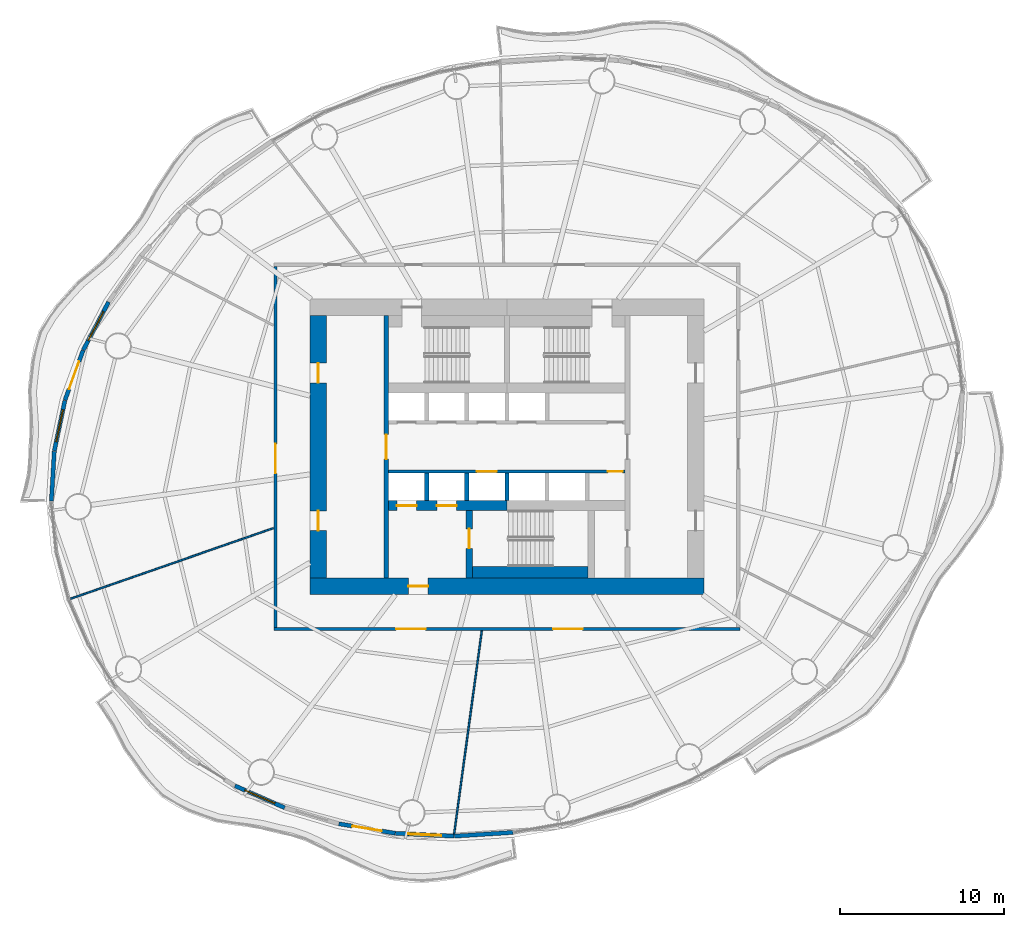
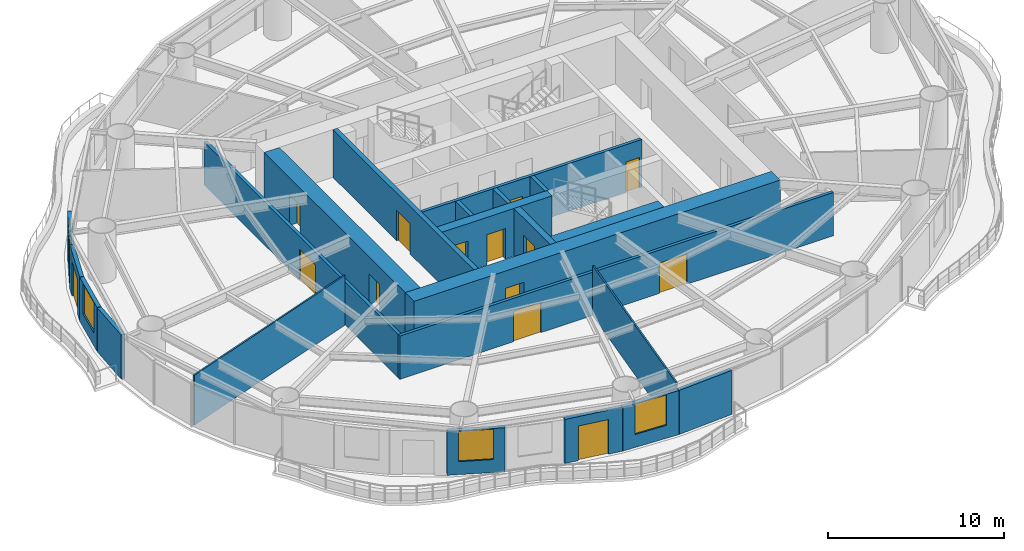
# One storey, part 8 of 16: 22 walls, 14 doors, 4 windows, 18 openings.
"""IFC4 building model written with IfcOpenShell, lengths in metres."""

from ifc_helpers import new_model, si_unit, direction, frame, frame_2d, origin, place, context, subcontext, project, spatial, rectangle, extrude, material, layer, layer_set, type_object, element, fill, save


model = new_model("IFC4")

# Units and contexts
model_context = context("Model", 3, precision=1e-05, world=origin(), true_north=direction((0.0, 1.0)))
body_context = subcontext(model_context, "Body", "Model", "MODEL_VIEW")
ifc_project = project(units=[si_unit("LENGTHUNIT", "METRE"), si_unit("AREAUNIT", "SQUARE_METRE"), si_unit("VOLUMEUNIT", "CUBIC_METRE"), si_unit("PLANEANGLEUNIT", "RADIAN"), si_unit("MASSUNIT", "GRAM", prefix="KILO")], contexts=[model_context])

# Site, building, storey
site_placement = place(None, origin())
site = spatial("IfcSite", under=ifc_project, at=site_placement, CompositionType="ELEMENT")
building_placement = place(site_placement, origin())
building = spatial("IfcBuilding", under=site, at=building_placement, Name="Vermilion Reach Broadcast Tower", CompositionType="ELEMENT")
storey_placement = place(building_placement, frame((0.0, 0.0, 110.199951171875)))
storey = spatial("IfcBuildingStorey", under=building, at=storey_placement, Name="L25", CompositionType="ELEMENT", Elevation=110.199951171875)

# Wall, opening, door
ifc_material_1 = material(Name="Concrete C70", Category="concrete")
ifc_layer_1 = layer(ifc_material_1, 0.300048828125)
ifc_layer_set_1 = layer_set([ifc_layer_1], Name="Core inner wall 300 mm Concrete C70")
wall_type_1 = type_object("IfcWallType", Name="Core inner wall 300 mm Concrete C70", PredefinedType="SHEAR", material=ifc_layer_set_1)
wall_1_placement = place(storey_placement, frame((-13.35009765625, 8.0, 0.0), z_axis=(0.0, 0.0, 1.0), x_axis=(0.0, -1.0, 0.0)))
wall_1 = element("IfcWall", 1, at=wall_1_placement, inside=storey, type_object=wall_type_1, Name="L25 core wall ewW", PredefinedType="SHEAR", context=body_context, shape_type="SweptSolid", body=[
    extrude(rectangle(XDim=16.0, YDim=0.300048828125, at=frame_2d((8.0, 0.0))), origin(), (0.0, 0.0, 1.0), 3.300048828125),
])
opening_1_placement = place(wall_1_placement, frame((7.25, 0.0, 0.0)))
opening_1 = element("IfcOpeningElement", 2, at=opening_1_placement, cuts=wall_1, Name="Opening D04", PredefinedType="OPENING", context=body_context, shape_type="SweptSolid", body=[
    extrude(rectangle(XDim=1.5, YDim=2.10009765625, at=frame_2d((0.75, 1.050048828125))), frame((0.0, 0.159912109375, 0.0), z_axis=(0.0, -1.0, 0.0), x_axis=(1.0, 0.0, 0.0)), (0.0, 0.0, 1.0), 0.320068359375),
])
ifc_material_2 = material(Name="Painted steel fire door", Category="steel")
door_type_1 = type_object("IfcDoorType", Name="Lift lobby door 1500 x 2100", OperationType="DOUBLE_DOOR_SINGLE_SWING", PredefinedType="NOTDEFINED", material=ifc_material_2)
door_1_placement = place(opening_1_placement, origin())
door_1 = element("IfcDoor", 3, at=door_1_placement, inside=storey, type_object=door_type_1, Name="L25 band door BW", OperationType="DOUBLE_DOOR_SINGLE_SWING", OverallHeight=2.10009765625, OverallWidth=1.5, PredefinedType="NOTDEFINED", context=body_context, shape_type="SweptSolid", body=[
    extrude(rectangle(XDim=1.5, YDim=2.10009765625, at=frame_2d((0.75, 1.050048828125))), frame((0.0, 0.02490234375, 0.0), z_axis=(0.0, -1.0, 0.0), x_axis=(1.0, 0.0, 0.0)), (0.0, 0.0, 1.0), 0.050048828125),
])
fill(opening_1, door_1)

ifc_material_3 = material(Name="Concrete C70", Category="concrete")
ifc_layer_2 = layer(ifc_material_3, 0.39990234375)
ifc_layer_set_2 = layer_set([ifc_layer_2], Name="Core inner wall 400 mm Concrete C70")
wall_type_2 = type_object("IfcWallType", Name="Core inner wall 400 mm Concrete C70", PredefinedType="SHEAR", material=ifc_layer_set_2)
wall_2_placement = place(storey_placement, frame((-8.300048828125, -3.8798828125, 0.0), z_axis=(0.0, 0.0, 1.0), x_axis=(0.0, -1.0, 0.0)))
wall_2 = element("IfcWall", 4, at=wall_2_placement, inside=storey, type_object=wall_type_2, Name="L25 core wall wa", PredefinedType="SHEAR", context=body_context, shape_type="SweptSolid", body=[
    extrude(rectangle(XDim=4.1201171875, YDim=0.39990234375, at=frame_2d((2.06005859375, 0.0))), origin(), (0.0, 0.0, 1.0), 3.300048828125),
])
opening_2_placement = place(wall_2_placement, frame((1.110107421875, 0.0, 0.0)))
opening_2 = element("IfcOpeningElement", 5, at=opening_2_placement, cuts=wall_2, Name="Opening D01", PredefinedType="OPENING", context=body_context, shape_type="SweptSolid", body=[
    extrude(rectangle(XDim=1.199951171875, YDim=2.10009765625, at=frame_2d((0.60009765625, 1.050048828125))), frame((0.0, 0.2099609375, 0.0), z_axis=(0.0, -1.0, 0.0), x_axis=(1.0, 0.0, 0.0)), (0.0, 0.0, 1.0), 0.419921875),
])
ifc_material_4 = material(Name="Painted steel fire door", Category="steel")
door_type_2 = type_object("IfcDoorType", Name="Stair door 1200 x 2100", OperationType="DOUBLE_DOOR_SINGLE_SWING", PredefinedType="NOTDEFINED", material=ifc_material_4)
door_2_placement = place(opening_2_placement, origin())
door_2 = element("IfcDoor", 6, at=door_2_placement, inside=storey, type_object=door_type_2, Name="L25 stair door ST3", OperationType="DOUBLE_DOOR_SINGLE_SWING", OverallHeight=2.10009765625, OverallWidth=1.199951171875, PredefinedType="NOTDEFINED", context=body_context, shape_type="SweptSolid", body=[
    extrude(rectangle(XDim=1.199951171875, YDim=2.10009765625, at=frame_2d((0.60009765625, 1.050048828125))), frame((0.0, 0.02490234375, 0.0), z_axis=(0.0, -1.0, 0.0), x_axis=(1.0, 0.0, 0.0)), (0.0, 0.0, 1.0), 0.050048828125),
])
fill(opening_2, door_2)

# Wall, openings, doors
ifc_material_5 = material(Name="Concrete C70", Category="concrete")
ifc_layer_3 = layer(ifc_material_5, 0.60009765625)
ifc_layer_set_3 = layer_set([ifc_layer_3], Name="Core inner wall 600 mm Concrete C70")
wall_type_3 = type_object("IfcWallType", Name="Core inner wall 600 mm Concrete C70", PredefinedType="SHEAR", material=ifc_layer_set_3)
wall_3_placement = place(storey_placement, frame((-13.199951171875, -3.580078125, 0.0), z_axis=(0.0, 0.0, 1.0), x_axis=(1.0, 0.0, 0.0)))
wall_3 = element("IfcWall", 7, at=wall_3_placement, inside=storey, type_object=wall_type_3, Name="L25 core wall wisW", PredefinedType="SHEAR", context=body_context, shape_type="SweptSolid", body=[
    extrude(rectangle(XDim=7.199951171875, YDim=0.60009765625, at=frame_2d((3.60009765625, 0.0))), origin(), (0.0, 0.0, 1.0), 3.300048828125),
])
opening_3_placement = place(wall_3_placement, frame((0.495849609375, 0.0, 0.0)))
opening_3 = element("IfcOpeningElement", 8, at=opening_3_placement, cuts=wall_3, Name="Opening LD1", PredefinedType="OPENING", context=body_context, shape_type="SweptSolid", body=[
    extrude(rectangle(XDim=1.199951171875, YDim=2.10009765625, at=frame_2d((0.60009765625, 1.050048828125))), frame((0.0, 0.31005859375, 0.0), z_axis=(0.0, -1.0, 0.0), x_axis=(1.0, 0.0, 0.0)), (0.0, 0.0, 1.0), 0.6201171875),
])
opening_4_placement = place(wall_3_placement, frame((2.9375, 0.0, 0.0)))
opening_4 = element("IfcOpeningElement", 9, at=opening_4_placement, cuts=wall_3, Name="Opening LD1", PredefinedType="OPENING", context=body_context, shape_type="SweptSolid", body=[
    extrude(rectangle(XDim=1.199951171875, YDim=2.10009765625, at=frame_2d((0.60009765625, 1.050048828125))), frame((0.0, 0.31005859375, 0.0), z_axis=(0.0, -1.0, 0.0), x_axis=(1.0, 0.0, 0.0)), (0.0, 0.0, 1.0), 0.6201171875),
])
ifc_material_6 = material(Name="Stainless steel", Category="steel")
door_type_3 = type_object("IfcDoorType", Name="Landing door 1200 x 2100", OperationType="DOUBLE_DOOR_SLIDING", PredefinedType="NOTDEFINED", material=ifc_material_6)
door_3_placement = place(opening_3_placement, origin())
door_3 = element("IfcDoor", 10, at=door_3_placement, inside=storey, type_object=door_type_3, Name="L25 landing door FF1", OperationType="DOUBLE_DOOR_SLIDING", OverallHeight=2.10009765625, OverallWidth=1.199951171875, PredefinedType="NOTDEFINED", context=body_context, shape_type="SweptSolid", body=[
    extrude(rectangle(XDim=1.199951171875, YDim=2.10009765625, at=frame_2d((0.60009765625, 1.050048828125))), frame((0.0, 0.02490234375, 0.0), z_axis=(0.0, -1.0, 0.0), x_axis=(1.0, 0.0, 0.0)), (0.0, 0.0, 1.0), 0.050048828125),
])
fill(opening_3, door_3)
door_4_placement = place(opening_4_placement, origin())
door_4 = element("IfcDoor", 11, at=door_4_placement, inside=storey, type_object=door_type_3, Name="L25 landing door FF2", OperationType="DOUBLE_DOOR_SLIDING", OverallHeight=2.10009765625, OverallWidth=1.199951171875, PredefinedType="NOTDEFINED", context=body_context, shape_type="SweptSolid", body=[
    extrude(rectangle(XDim=1.199951171875, YDim=2.10009765625, at=frame_2d((0.60009765625, 1.050048828125))), frame((0.0, 0.02490234375, 0.0), z_axis=(0.0, -1.0, 0.0), x_axis=(1.0, 0.0, 0.0)), (0.0, 0.0, 1.0), 0.050048828125),
])
fill(opening_4, door_4)

# Wall, opening, door
ifc_material_7 = material(Name="Concrete C70", Category="concrete")
ifc_layer_4 = layer(ifc_material_7, 1.0)
ifc_layer_set_4 = layer_set([ifc_layer_4], Name="Core outer wall 1000 mm Concrete C70")
wall_type_4 = type_object("IfcWallType", Name="Core outer wall 1000 mm Concrete C70", PredefinedType="SHEAR", material=ifc_layer_set_4)
wall_4_placement = place(storey_placement, frame((-18.0, -8.5, 0.0), z_axis=(0.0, 0.0, 1.0), x_axis=(1.0, 0.0, 0.0)))
wall_4 = element("IfcWall", 12, at=wall_4_placement, inside=storey, type_object=wall_type_4, Name="L25 core wall os", PredefinedType="SHEAR", context=body_context, shape_type="SweptSolid", body=[
    extrude(rectangle(XDim=24.0, YDim=1.0, at=frame_2d((12.0, 0.0))), origin(), (0.0, 0.0, 1.0), 3.300048828125),
])
opening_5_placement = place(wall_4_placement, frame((6.0, 0.0, 0.0)))
opening_5 = element("IfcOpeningElement", 13, at=opening_5_placement, cuts=wall_4, Name="Opening D02", PredefinedType="OPENING", context=body_context, shape_type="SweptSolid", body=[
    extrude(rectangle(XDim=1.199951171875, YDim=2.10009765625, at=frame_2d((0.60009765625, 1.050048828125))), frame((0.0, 0.510009765625, 0.0), z_axis=(0.0, -1.0, 0.0), x_axis=(1.0, 0.0, 0.0)), (0.0, 0.0, 1.0), 1.02001953125),
])
ifc_material_8 = material(Name="Painted steel fire door", Category="steel")
door_type_4 = type_object("IfcDoorType", Name="Firefighting lobby door 1200 x 2100", OperationType="DOUBLE_DOOR_SINGLE_SWING", PredefinedType="NOTDEFINED", material=ifc_material_8)
door_5_placement = place(opening_5_placement, origin())
door_5 = element("IfcDoor", 14, at=door_5_placement, inside=storey, type_object=door_type_4, Name="L25 ffdoor door FFL", OperationType="DOUBLE_DOOR_SINGLE_SWING", OverallHeight=2.10009765625, OverallWidth=1.199951171875, PredefinedType="NOTDEFINED", context=body_context, shape_type="SweptSolid", body=[
    extrude(rectangle(XDim=1.199951171875, YDim=2.10009765625, at=frame_2d((0.60009765625, 1.050048828125))), frame((0.0, 0.02490234375, 0.0), z_axis=(0.0, -1.0, 0.0), x_axis=(1.0, 0.0, 0.0)), (0.0, 0.0, 1.0), 0.050048828125),
])
fill(opening_5, door_5)

# Wall, openings, doors
wall_5_placement = place(storey_placement, frame((-17.5, 8.0, 0.0), z_axis=(0.0, 0.0, 1.0), x_axis=(0.0, -1.0, 0.0)))
wall_5 = element("IfcWall", 15, at=wall_5_placement, inside=storey, type_object=wall_type_4, Name="L25 core wall ow", PredefinedType="SHEAR", context=body_context, shape_type="SweptSolid", body=[
    extrude(rectangle(XDim=16.0, YDim=1.0, at=frame_2d((8.0, 0.0))), origin(), (0.0, 0.0, 1.0), 3.300048828125),
])
opening_6_placement = place(wall_5_placement, frame((11.89990234375, 0.0, 0.0)))
opening_6 = element("IfcOpeningElement", 16, at=opening_6_placement, cuts=wall_5, Name="Opening D03", PredefinedType="OPENING", context=body_context, shape_type="SweptSolid", body=[
    extrude(rectangle(XDim=1.199951171875, YDim=2.10009765625, at=frame_2d((0.60009765625, 1.050048828125))), frame((0.0, 0.510009765625, 0.0), z_axis=(0.0, -1.0, 0.0), x_axis=(1.0, 0.0, 0.0)), (0.0, 0.0, 1.0), 1.02001953125),
])
opening_7_placement = place(wall_5_placement, frame((2.89990234375, 0.0, 0.0)))
opening_7 = element("IfcOpeningElement", 17, at=opening_7_placement, cuts=wall_5, Name="Opening D03", PredefinedType="OPENING", context=body_context, shape_type="SweptSolid", body=[
    extrude(rectangle(XDim=1.199951171875, YDim=2.10009765625, at=frame_2d((0.60009765625, 1.050048828125))), frame((0.0, 0.510009765625, 0.0), z_axis=(0.0, -1.0, 0.0), x_axis=(1.0, 0.0, 0.0)), (0.0, 0.0, 1.0), 1.02001953125),
])
ifc_material_9 = material(Name="Painted steel fire door", Category="steel")
door_type_5 = type_object("IfcDoorType", Name="Core lobby door 1200 x 2100", OperationType="DOUBLE_DOOR_SINGLE_SWING", PredefinedType="NOTDEFINED", material=ifc_material_9)
door_6_placement = place(opening_6_placement, origin())
door_6 = element("IfcDoor", 18, at=door_6_placement, inside=storey, type_object=door_type_5, Name="L25 slot door W0", OperationType="DOUBLE_DOOR_SINGLE_SWING", OverallHeight=2.10009765625, OverallWidth=1.199951171875, PredefinedType="NOTDEFINED", context=body_context, shape_type="SweptSolid", body=[
    extrude(rectangle(XDim=1.199951171875, YDim=2.10009765625, at=frame_2d((0.60009765625, 1.050048828125))), frame((0.0, 0.02490234375, 0.0), z_axis=(0.0, -1.0, 0.0), x_axis=(1.0, 0.0, 0.0)), (0.0, 0.0, 1.0), 0.050048828125),
])
fill(opening_6, door_6)
door_7_placement = place(opening_7_placement, origin())
door_7 = element("IfcDoor", 19, at=door_7_placement, inside=storey, type_object=door_type_5, Name="L25 slot door W1", OperationType="DOUBLE_DOOR_SINGLE_SWING", OverallHeight=2.10009765625, OverallWidth=1.199951171875, PredefinedType="NOTDEFINED", context=body_context, shape_type="SweptSolid", body=[
    extrude(rectangle(XDim=1.199951171875, YDim=2.10009765625, at=frame_2d((0.60009765625, 1.050048828125))), frame((0.0, 0.02490234375, 0.0), z_axis=(0.0, -1.0, 0.0), x_axis=(1.0, 0.0, 0.0)), (0.0, 0.0, 1.0), 0.050048828125),
])
fill(opening_7, door_7)

ifc_material_10 = material(Name="Concrete C50", Category="concrete")
ifc_layer_5 = layer(ifc_material_10, 0.199951171875)
ifc_layer_set_5 = layer_set([ifc_layer_5], Name="Core shaft wall 200 mm Concrete C50")
wall_type_5 = type_object("IfcWallType", Name="Core shaft wall 200 mm Concrete C50", PredefinedType="SHEAR", material=ifc_layer_set_5)
wall_6_placement = place(storey_placement, frame((1.199951171875, -1.5, 0.0), z_axis=(0.0, 0.0, 1.0), x_axis=(-1.0, 0.0, 0.0)))
wall_6 = element("IfcWall", 20, at=wall_6_placement, inside=storey, type_object=wall_type_5, Name="L25 core wall fs", PredefinedType="SHEAR", context=body_context, shape_type="SweptSolid", body=[
    extrude(rectangle(XDim=14.39990234375, YDim=0.199951171875, at=frame_2d((7.199951171875, 0.0))), origin(), (0.0, 0.0, 1.0), 3.300048828125),
])
opening_8_placement = place(wall_6_placement, frame((7.82080078125, 0.0, 0.0)))
opening_8 = element("IfcOpeningElement", 21, at=opening_8_placement, cuts=wall_6, Name="Opening LD1", PredefinedType="OPENING", context=body_context, shape_type="SweptSolid", body=[
    extrude(rectangle(XDim=1.199951171875, YDim=2.10009765625, at=frame_2d((0.60009765625, 1.050048828125))), frame((0.0, 0.10986328125, 0.0), z_axis=(0.0, -1.0, 0.0), x_axis=(1.0, 0.0, 0.0)), (0.0, 0.0, 1.0), 0.219970703125),
])
opening_9_placement = place(wall_6_placement, frame((0.14990234375, 0.0, 0.0)))
opening_9 = element("IfcOpeningElement", 22, at=opening_9_placement, cuts=wall_6, Name="Opening D06", PredefinedType="OPENING", context=body_context, shape_type="SweptSolid", body=[
    extrude(rectangle(XDim=0.89990234375, YDim=2.10009765625, at=frame_2d((0.449951171875, 1.050048828125))), frame((0.0, 0.10986328125, 0.0), z_axis=(0.0, -1.0, 0.0), x_axis=(1.0, 0.0, 0.0)), (0.0, 0.0, 1.0), 0.219970703125),
])
door_8_placement = place(opening_8_placement, origin())
door_8 = element("IfcDoor", 23, at=door_8_placement, inside=storey, type_object=door_type_3, Name="L25 landing door SV1", OperationType="DOUBLE_DOOR_SLIDING", OverallHeight=2.10009765625, OverallWidth=1.199951171875, PredefinedType="NOTDEFINED", context=body_context, shape_type="SweptSolid", body=[
    extrude(rectangle(XDim=1.199951171875, YDim=2.10009765625, at=frame_2d((0.60009765625, 1.050048828125))), frame((0.0, 0.02490234375, 0.0), z_axis=(0.0, -1.0, 0.0), x_axis=(1.0, 0.0, 0.0)), (0.0, 0.0, 1.0), 0.050048828125),
])
fill(opening_8, door_8)
ifc_material_11 = material(Name="Timber door", Category="wood")
door_type_6 = type_object("IfcDoorType", Name="WC door 900 x 2100", OperationType="NOTDEFINED", PredefinedType="NOTDEFINED", material=ifc_material_11)
door_9_placement = place(opening_9_placement, origin())
door_9 = element("IfcDoor", 24, at=door_9_placement, inside=storey, type_object=door_type_6, Name="L25 door Male WC", OperationType="SINGLE_SWING_LEFT", OverallHeight=2.10009765625, OverallWidth=0.89990234375, PredefinedType="NOTDEFINED", context=body_context, shape_type="SweptSolid", body=[
    extrude(rectangle(XDim=0.89990234375, YDim=2.10009765625, at=frame_2d((0.449951171875, 1.050048828125))), frame((0.0, 0.02490234375, 0.0), z_axis=(0.0, -1.0, 0.0), x_axis=(1.0, 0.0, 0.0)), (0.0, 0.0, 1.0), 0.050048828125),
])
fill(opening_9, door_9)

# Walls
ifc_material_12 = material(Name="Concrete C50", Category="concrete")
ifc_layer_6 = layer(ifc_material_12, 0.25)
ifc_layer_set_6 = layer_set([ifc_layer_6], Name="Core shaft wall 250 mm Concrete C50")
wall_type_6 = type_object("IfcWallType", Name="Core shaft wall 250 mm Concrete C50", PredefinedType="SHEAR", material=ifc_layer_set_6)
for number, where, z_axis, x_axis, name in (
    (25, (-10.88330078125, -1.60009765625, 0.0), (0.0, 0.0, 1.0), (0.0, -1.0, 0.0), "L25 core wall psS0"),
    (26, (-8.441650390625, -1.60009765625, 0.0), (0.0, 0.0, 1.0), (0.0, -1.0, 0.0), "L25 core wall psS1"),
    (27, (-6.0, -1.60009765625, 0.0), (0.0, 0.0, 1.0), (0.0, -1.0, 0.0), "L25 core wall psS2"),
):
    element("IfcWall", number, at=place(storey_placement, frame(where, z_axis=z_axis, x_axis=x_axis)), inside=storey, type_object=wall_type_6, Name=name, PredefinedType="SHEAR", context=body_context, shape_type="SweptSolid", body=[
        extrude(rectangle(XDim=1.679931640625, YDim=0.25, at=frame_2d((0.83984375, 0.0))), origin(), (0.0, 0.0, 1.0), 3.300048828125),
    ])
ifc_material_13 = material(Name="Concrete C70", Category="concrete")
ifc_layer_7 = layer(ifc_material_13, 0.699951171875)
ifc_layer_set_7 = layer_set([ifc_layer_7], Name="Core stair wall 700 mm Concrete C70")
wall_type_7 = type_object("IfcWallType", Name="Core stair wall 700 mm Concrete C70", PredefinedType="SHEAR", material=ifc_layer_set_7)
wall_7_placement = place(storey_placement, frame((-8.10009765625, -7.64990234375, 0.0), z_axis=(0.0, 0.0, 1.0), x_axis=(1.0, 0.0, 0.0)))
element("IfcWall", 28, at=wall_7_placement, inside=storey, type_object=wall_type_7, Name="L25 core wall l3", PredefinedType="SHEAR", context=body_context, shape_type="SweptSolid", body=[
    extrude(rectangle(XDim=7.050048828125, YDim=0.699951171875, at=frame_2d((3.52490234375, 0.0))), origin(), (0.0, 0.0, 1.0), 3.300048828125),
])
ifc_material_14 = material(Name="Plasterboard on steel stud", Category="steel")
ifc_layer_8 = layer(ifc_material_14, 0.10009765625)
ifc_layer_set_8 = layer_set([ifc_layer_8], Name="Partition 100 steel stud")
wall_type_8 = type_object("IfcWallType", Name="Partition 100 steel stud", PredefinedType="PARTITIONING", material=ifc_layer_set_8)
wall_8_placement = place(storey_placement, frame((-32.573974609375, -9.254150390625, 0.0), z_axis=(0.0, 0.0, 1.0), x_axis=(0.944372639041, 0.328877361079, 0.0)))
element("IfcWall", 29, at=wall_8_placement, inside=storey, type_object=wall_type_8, Name="Partition 25.05", PredefinedType="PARTITIONING", context=body_context, shape_type="SweptSolid", body=[
    extrude(rectangle(XDim=13.085205078125, YDim=0.10009765625, at=frame_2d((6.54248046875, 0.0))), origin(), (0.0, 0.0, 1.0), 3.449951171875),
])
wall_9_placement = place(storey_placement, frame((-9.214599609375, -23.592041015625, 0.0), z_axis=(0.0, 0.0, 1.0), x_axis=(0.13500338244, 0.990845137612, 0.0)))
element("IfcWall", 30, at=wall_9_placement, inside=storey, type_object=wall_type_8, Name="Partition 25.06", PredefinedType="PARTITIONING", context=body_context, shape_type="SweptSolid", body=[
    extrude(rectangle(XDim=12.499755859375, YDim=0.10009765625, at=frame_2d((6.25, 0.0))), origin(), (0.0, 0.0, 1.0), 3.449951171875),
])

# Wall, opening, window
ifc_material_15 = material(Name="Terracotta rainscreen cladding", Category="masonry")
ifc_layer_9 = layer(ifc_material_15, 0.25)
ifc_layer_set_9 = layer_set([ifc_layer_9], Name="Terracotta rainscreen wall 250")
wall_type_9 = type_object("IfcWallType", Name="Terracotta rainscreen wall 250", PredefinedType="SOLIDWALL", material=ifc_layer_set_9)
wall_10_placement = place(storey_placement, frame((-30.267333984375, 8.82080078125, 0.0), z_axis=(0.0, 0.0, 1.0), x_axis=(-0.465454364303, -0.885071881121, 0.0)))
wall_10 = element("IfcWall", 31, at=wall_10_placement, inside=storey, type_object=wall_type_9, Name="External wall L25 18", PredefinedType="SOLIDWALL", context=body_context, shape_type="SweptSolid", body=[
    extrude(rectangle(XDim=3.3076171875, YDim=0.25, at=frame_2d((1.65380859375, 0.0))), origin(), (0.0, 0.0, 1.0), 3.050048828125),
])
opening_10_placement = place(wall_10_placement, frame((0.65380859375, 0.0, 0.89990234375)))
opening_10 = element("IfcOpeningElement", 32, at=opening_10_placement, cuts=wall_10, Name="Opening W03", PredefinedType="OPENING", context=body_context, shape_type="SweptSolid", body=[
    extrude(rectangle(XDim=2.0, YDim=2.10009765625, at=frame_2d((1.0, 1.050048828125))), frame((0.0, 0.135009765625, 0.0), z_axis=(0.0, -1.0, 0.0), x_axis=(1.0, 0.0, 0.0)), (0.0, 0.0, 1.0), 0.27001953125),
])
ifc_material_16 = material(Name="Low-e laminated clear glass in aluminium frame", Category="aluminium")
window_type = type_object("IfcWindowType", Name="Punched window 2000 x 2100 sill 900", PartitioningType="SINGLE_PANEL", PredefinedType="WINDOW", material=ifc_material_16)
window_1_placement = place(opening_10_placement, origin())
window_1 = element("IfcWindow", 33, at=window_1_placement, inside=storey, type_object=window_type, Name="Window L25 18", OverallHeight=2.10009765625, OverallWidth=2.0, PartitioningType="SINGLE_PANEL", PredefinedType="WINDOW", context=body_context, shape_type="SweptSolid", body=[
    extrude(rectangle(XDim=2.0, YDim=2.10009765625, at=frame_2d((1.0, 1.050048828125))), frame((0.0, 0.030029296875, 0.0), z_axis=(0.0, -1.0, 0.0), x_axis=(1.0, 0.0, 0.0)), (0.0, 0.0, 1.0), 0.06005859375),
])
fill(opening_10, window_1)

# Wall, opening, door
wall_11_placement = place(storey_placement, frame((-31.817138671875, 5.87060546875, 0.0), z_axis=(0.0, 0.0, 1.0), x_axis=(-0.341877080841, -0.93974467894, 0.0)))
wall_11 = element("IfcWall", 34, at=wall_11_placement, inside=storey, type_object=wall_type_9, Name="External wall L25 19", PredefinedType="SOLIDWALL", context=body_context, shape_type="SweptSolid", body=[
    extrude(rectangle(XDim=3.2177734375, YDim=0.25, at=frame_2d((1.60888671875, 0.0))), origin(), (0.0, 0.0, 1.0), 3.050048828125),
])
opening_11_placement = place(wall_11_placement, frame((0.708984375, 0.0, 0.0)))
opening_11 = element("IfcOpeningElement", 35, at=opening_11_placement, cuts=wall_11, Name="Opening D70", PredefinedType="OPENING", context=body_context, shape_type="SweptSolid", body=[
    extrude(rectangle(XDim=1.800048828125, YDim=2.39990234375, at=frame_2d((0.89990234375, 1.199951171875))), frame((0.0, 0.135009765625, 0.0), z_axis=(0.0, -1.0, 0.0), x_axis=(1.0, 0.0, 0.0)), (0.0, 0.0, 1.0), 0.27001953125),
])
ifc_material_17 = material(Name="Low-e laminated clear glass in aluminium frame", Category="aluminium")
door_type_7 = type_object("IfcDoorType", Name="Balcony sliding door 1800 x 2400", OperationType="DOUBLE_DOOR_SLIDING", PredefinedType="DOOR", material=ifc_material_17)
door_10_placement = place(opening_11_placement, origin())
door_10 = element("IfcDoor", 36, at=door_10_placement, inside=storey, type_object=door_type_7, Name="Balcony door L25 run 05", OperationType="DOUBLE_DOOR_SLIDING", OverallHeight=2.39990234375, OverallWidth=1.800048828125, PredefinedType="DOOR", context=body_context, shape_type="SweptSolid", body=[
    extrude(rectangle(XDim=1.800048828125, YDim=2.39990234375, at=frame_2d((0.89990234375, 1.199951171875))), frame((0.0, 0.02490234375, 0.0), z_axis=(0.0, -1.0, 0.0), x_axis=(1.0, 0.0, 0.0)), (0.0, 0.0, 1.0), 0.050048828125),
])
fill(opening_11, door_10)

# Wall, opening, window
wall_12_placement = place(storey_placement, frame((-32.92431640625, 2.822021484375, 0.0), z_axis=(0.0, 0.0, 1.0), x_axis=(-0.205198000351, -0.978720481369, 0.0)))
wall_12 = element("IfcWall", 37, at=wall_12_placement, inside=storey, type_object=wall_type_9, Name="External wall L25 20", PredefinedType="SOLIDWALL", context=body_context, shape_type="SweptSolid", body=[
    extrude(rectangle(XDim=3.135009765625, YDim=0.25, at=frame_2d((1.5673828125, 0.0))), origin(), (0.0, 0.0, 1.0), 3.050048828125),
])
opening_12_placement = place(wall_12_placement, frame((0.5673828125, 0.0, 0.89990234375)))
opening_12 = element("IfcOpeningElement", 38, at=opening_12_placement, cuts=wall_12, Name="Opening W03", PredefinedType="OPENING", context=body_context, shape_type="SweptSolid", body=[
    extrude(rectangle(XDim=2.0, YDim=2.10009765625, at=frame_2d((1.0, 1.050048828125))), frame((0.0, 0.135009765625, 0.0), z_axis=(0.0, -1.0, 0.0), x_axis=(1.0, 0.0, 0.0)), (0.0, 0.0, 1.0), 0.27001953125),
])
window_2_placement = place(opening_12_placement, origin())
window_2 = element("IfcWindow", 39, at=window_2_placement, inside=storey, type_object=window_type, Name="Window L25 20", OverallHeight=2.10009765625, OverallWidth=2.0, PartitioningType="SINGLE_PANEL", PredefinedType="WINDOW", context=body_context, shape_type="SweptSolid", body=[
    extrude(rectangle(XDim=2.0, YDim=2.10009765625, at=frame_2d((1.0, 1.050048828125))), frame((0.0, 0.030029296875, 0.0), z_axis=(0.0, -1.0, 0.0), x_axis=(1.0, 0.0, 0.0)), (0.0, 0.0, 1.0), 0.06005859375),
])
fill(opening_12, window_2)

# Wall
wall_13_placement = place(storey_placement, frame((-33.571044921875, -0.272705078125, 0.0), z_axis=(0.0, 0.0, 1.0), x_axis=(-0.057638311383, -0.998337530628, 0.0)))
element("IfcWall", 40, at=wall_13_placement, inside=storey, type_object=wall_type_9, Name="External wall L25 21", PredefinedType="SOLIDWALL", context=body_context, shape_type="SweptSolid", body=[
    extrude(rectangle(XDim=3.0244140625, YDim=0.25, at=frame_2d((1.51220703125, 0.0))), origin(), (0.0, 0.0, 1.0), 3.050048828125),
])

# Wall, opening, window
wall_14_placement = place(storey_placement, frame((-22.564208984375, -20.6484375, 0.0), z_axis=(0.0, 0.0, 1.0), x_axis=(0.91455266452, -0.404466838961, 0.0)))
wall_14 = element("IfcWall", 41, at=wall_14_placement, inside=storey, type_object=wall_type_9, Name="External wall L25 29", PredefinedType="SOLIDWALL", context=body_context, shape_type="SweptSolid", body=[
    extrude(rectangle(XDim=3.307861328125, YDim=0.25, at=frame_2d((1.65380859375, 0.0))), origin(), (0.0, 0.0, 1.0), 3.050048828125),
])
opening_13_placement = place(wall_14_placement, frame((0.65380859375, 0.0, 0.89990234375)))
opening_13 = element("IfcOpeningElement", 42, at=opening_13_placement, cuts=wall_14, Name="Opening W03", PredefinedType="OPENING", context=body_context, shape_type="SweptSolid", body=[
    extrude(rectangle(XDim=2.0, YDim=2.10009765625, at=frame_2d((1.0, 1.050048828125))), frame((0.0, 0.135009765625, 0.0), z_axis=(0.0, -1.0, 0.0), x_axis=(1.0, 0.0, 0.0)), (0.0, 0.0, 1.0), 0.27001953125),
])
window_3_placement = place(opening_13_placement, origin())
window_3 = element("IfcWindow", 43, at=window_3_placement, inside=storey, type_object=window_type, Name="Window L25 29", OverallHeight=2.10009765625, OverallWidth=2.0, PartitioningType="SINGLE_PANEL", PredefinedType="WINDOW", context=body_context, shape_type="SweptSolid", body=[
    extrude(rectangle(XDim=2.0, YDim=2.10009765625, at=frame_2d((1.0, 1.050048828125))), frame((0.0, 0.030029296875, 0.0), z_axis=(0.0, -1.0, 0.0), x_axis=(1.0, 0.0, 0.0)), (0.0, 0.0, 1.0), 0.06005859375),
])
fill(opening_13, window_3)

# Wall, opening, door
wall_15_placement = place(storey_placement, frame((-16.23583984375, -22.965087890625, 0.0), z_axis=(0.0, 0.0, 1.0), x_axis=(0.986281925568, -0.165069571083, 0.0)))
wall_15 = element("IfcWall", 44, at=wall_15_placement, inside=storey, type_object=wall_type_9, Name="External wall L25 31", PredefinedType="SOLIDWALL", context=body_context, shape_type="SweptSolid", body=[
    extrude(rectangle(XDim=3.483154296875, YDim=0.25, at=frame_2d((1.74169921875, 0.0))), origin(), (0.0, 0.0, 1.0), 3.050048828125),
])
opening_14_placement = place(wall_15_placement, frame((0.842041015625, 0.0, 0.0)))
opening_14 = element("IfcOpeningElement", 45, at=opening_14_placement, cuts=wall_15, Name="Opening D70", PredefinedType="OPENING", context=body_context, shape_type="SweptSolid", body=[
    extrude(rectangle(XDim=1.800048828125, YDim=2.39990234375, at=frame_2d((0.89990234375, 1.199951171875))), frame((0.0, 0.135009765625, 0.0), z_axis=(0.0, -1.0, 0.0), x_axis=(1.0, 0.0, 0.0)), (0.0, 0.0, 1.0), 0.27001953125),
])
door_11_placement = place(opening_14_placement, origin())
door_11 = element("IfcDoor", 46, at=door_11_placement, inside=storey, type_object=door_type_7, Name="Balcony door L25 run 08", OperationType="DOUBLE_DOOR_SLIDING", OverallHeight=2.39990234375, OverallWidth=1.800048828125, PredefinedType="DOOR", context=body_context, shape_type="SweptSolid", body=[
    extrude(rectangle(XDim=1.800048828125, YDim=2.39990234375, at=frame_2d((0.89990234375, 1.199951171875))), frame((0.0, 0.02490234375, 0.0), z_axis=(0.0, -1.0, 0.0), x_axis=(1.0, 0.0, 0.0)), (0.0, 0.0, 1.0), 0.050048828125),
])
fill(opening_14, door_11)

# Wall, opening, window
wall_16_placement = place(storey_placement, frame((-12.778076171875, -23.54248046875, 0.0), z_axis=(0.0, 0.0, 1.0), x_axis=(0.998802311513, -0.048927931852, 0.0)))
wall_16 = element("IfcWall", 47, at=wall_16_placement, inside=storey, type_object=wall_type_9, Name="External wall L25 32", PredefinedType="SOLIDWALL", context=body_context, shape_type="SweptSolid", body=[
    extrude(rectangle(XDim=3.5576171875, YDim=0.25, at=frame_2d((1.77880859375, 0.0))), origin(), (0.0, 0.0, 1.0), 3.050048828125),
])
opening_15_placement = place(wall_16_placement, frame((0.77880859375, 0.0, 0.89990234375)))
opening_15 = element("IfcOpeningElement", 48, at=opening_15_placement, cuts=wall_16, Name="Opening W03", PredefinedType="OPENING", context=body_context, shape_type="SweptSolid", body=[
    extrude(rectangle(XDim=2.0, YDim=2.10009765625, at=frame_2d((1.0, 1.050048828125))), frame((0.0, 0.135009765625, 0.0), z_axis=(0.0, -1.0, 0.0), x_axis=(1.0, 0.0, 0.0)), (0.0, 0.0, 1.0), 0.27001953125),
])
window_4_placement = place(opening_15_placement, origin())
window_4 = element("IfcWindow", 49, at=window_4_placement, inside=storey, type_object=window_type, Name="Window L25 32", OverallHeight=2.10009765625, OverallWidth=2.0, PartitioningType="SINGLE_PANEL", PredefinedType="WINDOW", context=body_context, shape_type="SweptSolid", body=[
    extrude(rectangle(XDim=2.0, YDim=2.10009765625, at=frame_2d((1.0, 1.050048828125))), frame((0.0, 0.030029296875, 0.0), z_axis=(0.0, -1.0, 0.0), x_axis=(1.0, 0.0, 0.0)), (0.0, 0.0, 1.0), 0.06005859375),
])
fill(opening_15, window_4)

# Wall
wall_17_placement = place(storey_placement, frame((-9.20263671875, -23.71630859375, 0.0), z_axis=(0.0, 0.0, 1.0), x_axis=(0.997966032013, 0.063747932895, 0.0)))
element("IfcWall", 50, at=wall_17_placement, inside=storey, type_object=wall_type_9, Name="External wall L25 33", PredefinedType="SOLIDWALL", context=body_context, shape_type="SweptSolid", body=[
    extrude(rectangle(XDim=3.5732421875, YDim=0.25, at=frame_2d((1.78662109375, 0.0))), origin(), (0.0, 0.0, 1.0), 3.050048828125),
])

# Wall, openings, doors
ifc_material_18 = material(Name="Fire-rated gypsum board partition")
ifc_layer_10 = layer(ifc_material_18, 0.199951171875)
ifc_layer_set_10 = layer_set([ifc_layer_10], Name="Under girder: Corridor wall 200 fire-rated")
wall_type_10 = type_object("IfcWallType", Name="Under girder: Corridor wall 200 fire-rated", PredefinedType="PARTITIONING", material=ifc_layer_set_10)
wall_18_placement = place(storey_placement, frame((8.199951171875, -11.10009765625, 0.0), z_axis=(0.0, 0.0, 1.0), x_axis=(-1.0, 0.0, 0.0)))
wall_18 = element("IfcWall", 51, at=wall_18_placement, inside=storey, type_object=wall_type_10, Name="Corridor wall 25.S", PredefinedType="PARTITIONING", context=body_context, shape_type="SweptSolid", body=[
    extrude(rectangle(XDim=28.39990234375, YDim=0.199951171875, at=frame_2d((14.199951171875, 0.0))), origin(), (0.0, 0.0, 1.0), 3.0),
])
opening_16_placement = place(wall_18_placement, frame((19.148193359375, 0.0, 0.0)))
opening_16 = element("IfcOpeningElement", 52, at=opening_16_placement, cuts=wall_18, Name="Opening D21", PredefinedType="OPENING", context=body_context, shape_type="SweptSolid", body=[
    extrude(rectangle(XDim=1.800048828125, YDim=2.10009765625, at=frame_2d((0.89990234375, 1.050048828125))), frame((0.0, 0.10986328125, 0.0), z_axis=(0.0, -1.0, 0.0), x_axis=(1.0, 0.0, 0.0)), (0.0, 0.0, 1.0), 0.219970703125),
])
opening_17_placement = place(wall_18_placement, frame((9.58837890625, 0.0, 0.0)))
opening_17 = element("IfcOpeningElement", 53, at=opening_17_placement, cuts=wall_18, Name="Opening D21", PredefinedType="OPENING", context=body_context, shape_type="SweptSolid", body=[
    extrude(rectangle(XDim=1.800048828125, YDim=2.10009765625, at=frame_2d((0.89990234375, 1.050048828125))), frame((0.0, 0.10986328125, 0.0), z_axis=(0.0, -1.0, 0.0), x_axis=(1.0, 0.0, 0.0)), (0.0, 0.0, 1.0), 0.219970703125),
])
ifc_material_19 = material(Name="Timber door leaf", Category="wood")
door_type_8 = type_object("IfcDoorType", Name="Door pair 1800x2100", OperationType="NOTDEFINED", PredefinedType="DOOR", material=ifc_material_19)
door_12_placement = place(opening_16_placement, origin())
door_12 = element("IfcDoor", 54, at=door_12_placement, inside=storey, type_object=door_type_8, Name="Door 25.05", OperationType="DOUBLE_DOOR_SINGLE_SWING", OverallHeight=2.10009765625, OverallWidth=1.800048828125, PredefinedType="DOOR", context=body_context, shape_type="SweptSolid", body=[
    extrude(rectangle(XDim=1.800048828125, YDim=2.10009765625, at=frame_2d((0.89990234375, 1.050048828125))), frame((0.0, 0.02490234375, 0.0), z_axis=(0.0, -1.0, 0.0), x_axis=(1.0, 0.0, 0.0)), (0.0, 0.0, 1.0), 0.050048828125),
])
fill(opening_16, door_12)
door_13_placement = place(opening_17_placement, origin())
door_13 = element("IfcDoor", 55, at=door_13_placement, inside=storey, type_object=door_type_8, Name="Door 25.06", OperationType="DOUBLE_DOOR_SINGLE_SWING", OverallHeight=2.10009765625, OverallWidth=1.800048828125, PredefinedType="DOOR", context=body_context, shape_type="SweptSolid", body=[
    extrude(rectangle(XDim=1.800048828125, YDim=2.10009765625, at=frame_2d((0.89990234375, 1.050048828125))), frame((0.0, 0.02490234375, 0.0), z_axis=(0.0, -1.0, 0.0), x_axis=(1.0, 0.0, 0.0)), (0.0, 0.0, 1.0), 0.050048828125),
])
fill(opening_17, door_13)

# Wall, opening, door
wall_19_placement = place(storey_placement, frame((-20.10009765625, -11.0, 0.0), z_axis=(0.0, 0.0, 1.0), x_axis=(0.0, 1.0, 0.0)))
wall_19 = element("IfcWall", 56, at=wall_19_placement, inside=storey, type_object=wall_type_10, Name="Corridor wall 25.W", PredefinedType="PARTITIONING", context=body_context, shape_type="SweptSolid", body=[
    extrude(rectangle(XDim=22.0, YDim=0.199951171875, at=frame_2d((11.0, 0.0))), origin(), (0.0, 0.0, 1.0), 3.0),
])
opening_18_placement = place(wall_19_placement, frame((9.380859375, 0.0, 0.0)))
opening_18 = element("IfcOpeningElement", 57, at=opening_18_placement, cuts=wall_19, Name="Opening D21", PredefinedType="OPENING", context=body_context, shape_type="SweptSolid", body=[
    extrude(rectangle(XDim=1.800048828125, YDim=2.10009765625, at=frame_2d((0.89990234375, 1.050048828125))), frame((0.0, 0.10986328125, 0.0), z_axis=(0.0, -1.0, 0.0), x_axis=(1.0, 0.0, 0.0)), (0.0, 0.0, 1.0), 0.219970703125),
])
door_14_placement = place(opening_18_placement, origin())
door_14 = element("IfcDoor", 58, at=door_14_placement, inside=storey, type_object=door_type_8, Name="Door 25.04", OperationType="DOUBLE_DOOR_SINGLE_SWING", OverallHeight=2.10009765625, OverallWidth=1.800048828125, PredefinedType="DOOR", context=body_context, shape_type="SweptSolid", body=[
    extrude(rectangle(XDim=1.800048828125, YDim=2.10009765625, at=frame_2d((0.89990234375, 1.050048828125))), frame((0.0, 0.02490234375, 0.0), z_axis=(0.0, -1.0, 0.0), x_axis=(1.0, 0.0, 0.0)), (0.0, 0.0, 1.0), 0.050048828125),
])
fill(opening_18, door_14)

save(model, "model.ifc")
